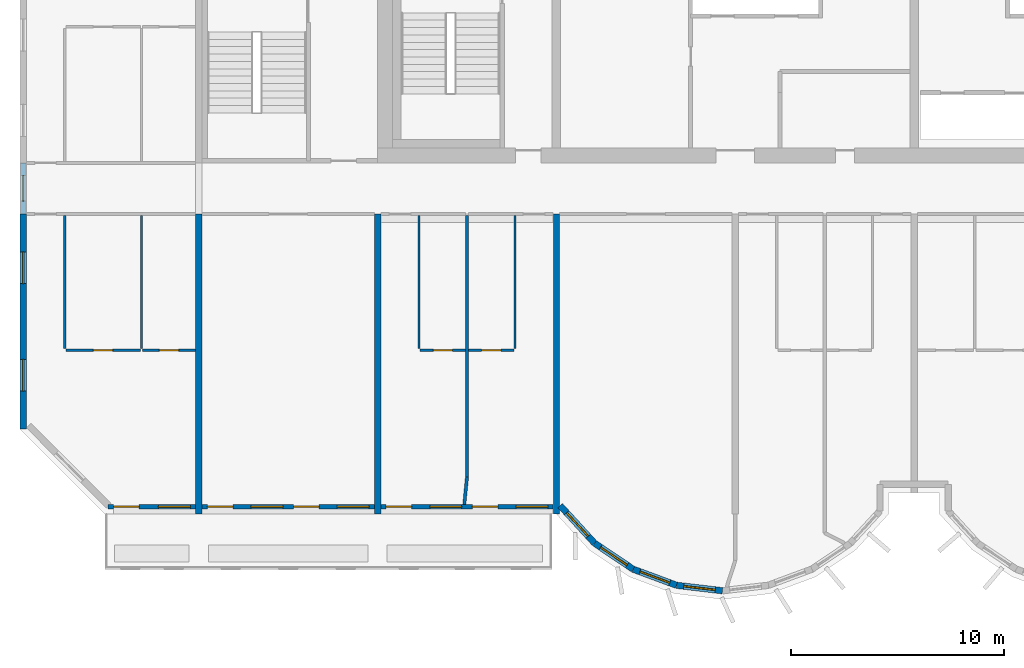
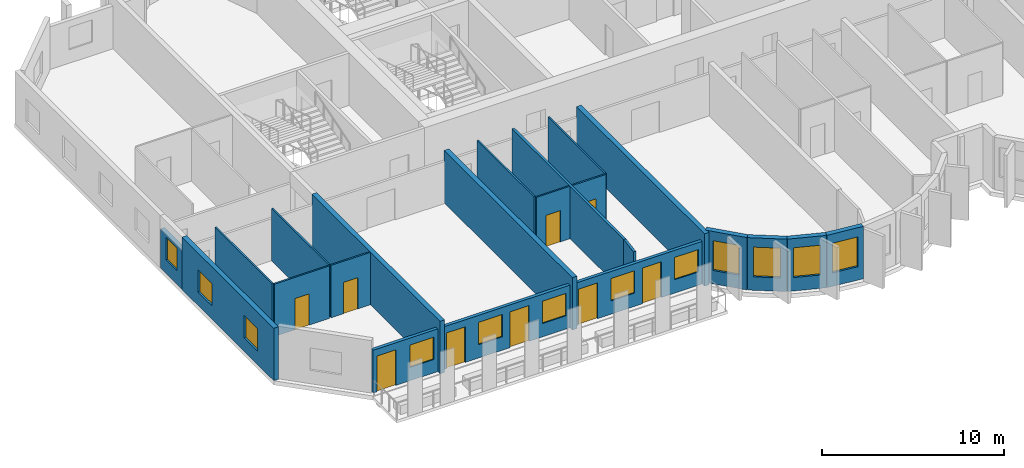
# One storey, part 2 of 13: 22 walls, 12 windows, 9 doors, 21 openings.
"""IFC4 building model written with IfcOpenShell, lengths in metres."""

from ifc_helpers import new_model, si_unit, direction, frame, frame_2d, origin, place, context, subcontext, project, spatial, rectangle, extrude, source, transform, mapped, material, layer, layer_set, type_object, element, fill, save


model = new_model("IFC4")

# Units and contexts
model_context = context("Model", 3, precision=1e-05, world=origin(), true_north=direction((0.0, 1.0)))
body_context = subcontext(model_context, "Body", "Model", "MODEL_VIEW")
ifc_project = project(units=[si_unit("LENGTHUNIT", "METRE"), si_unit("AREAUNIT", "SQUARE_METRE"), si_unit("VOLUMEUNIT", "CUBIC_METRE"), si_unit("PLANEANGLEUNIT", "RADIAN"), si_unit("MASSUNIT", "GRAM", prefix="KILO")], contexts=[model_context])

# Site, building, storey
site_placement = place(None, origin())
site = spatial("IfcSite", under=ifc_project, at=site_placement, CompositionType="ELEMENT")
building_placement = place(site_placement, origin())
building = spatial("IfcBuilding", under=site, at=building_placement, Name="Vanashikhar Sky Hotel", CompositionType="ELEMENT")
storey_placement = place(building_placement, frame((0.0, 0.0, 159.199951171875)))
storey = spatial("IfcBuildingStorey", under=building, at=storey_placement, Name="L38", CompositionType="ELEMENT", Elevation=159.199951171875)

# Wall, openings, windows
ifc_material_1 = material(Name="Concrete M60", Category="concrete")
ifc_layer_1 = layer(ifc_material_1, 0.300048828125)
ifc_layer_set_1 = layer_set([ifc_layer_1], Name="RC shear wall 300 Concrete M60")
wall_type_1 = type_object("IfcWallType", Name="RC shear wall 300 Concrete M60", PredefinedType="SHEAR", material=ifc_layer_set_1)
shared_shape_1 = source(origin(), body_context, "Body", "SweptSolid", [
    extrude(rectangle(XDim=10.10009765625, YDim=0.300048828125, at=frame_2d((5.050048828125, 0.0))), origin(), (0.0, 0.0, 1.0), 3.52001953125),
])
wall_1_placement = place(storey_placement, frame((8.550048828125, 9.5, 0.0), z_axis=(0.0, 0.0, 1.0), x_axis=(0.0, 1.0, 0.0)))
wall_1 = element("IfcWall", 1, at=wall_1_placement, inside=storey, type_object=wall_type_1, Name="CW-L38-XW02-1", PredefinedType="SHEAR", context=body_context, shape_type="MappedRepresentation", body=[
    mapped(shared_shape_1, transform((0.0, 0.0, 0.0), scale=1.0)),
])
shared_shape_2 = source(origin(), body_context, "Body", "SweptSolid", [
    extrude(rectangle(XDim=1.5, YDim=1.5, at=frame_2d((0.75, 0.75))), frame((0.0, 0.16015625, 0.0), z_axis=(0.0, -1.0, 0.0), x_axis=(1.0, 0.0, 0.0)), (0.0, 0.0, 1.0), 0.320068359375),
])
opening_1_placement = place(wall_1_placement, frame((1.77490234375, 0.0, 0.89990234375)))
opening_1 = element("IfcOpeningElement", 2, at=opening_1_placement, cuts=wall_1, Name="Opening WN-1", PredefinedType="OPENING", context=body_context, shape_type="MappedRepresentation", body=[
    mapped(shared_shape_2, transform((0.0, 0.0, 0.0), scale=1.0)),
])
opening_2_placement = place(wall_1_placement, frame((6.824951171875, 0.0, 0.89990234375)))
opening_2 = element("IfcOpeningElement", 3, at=opening_2_placement, cuts=wall_1, Name="Opening WN-1", PredefinedType="OPENING", context=body_context, shape_type="MappedRepresentation", body=[
    mapped(shared_shape_2, transform((0.0, 0.0, 0.0), scale=1.0)),
])
ifc_material_2 = material(Name="Glass", Category="glass")
window_type_1 = type_object("IfcWindowType", Name="Window 1500 x 1500", PartitioningType="SINGLE_PANEL", PredefinedType="WINDOW", material=ifc_material_2)
shared_shape_3 = source(origin(), body_context, "Body", "SweptSolid", [
    extrude(rectangle(XDim=1.5, YDim=1.5, at=frame_2d((0.75, 0.75))), frame((0.0, 0.030029296875, 0.0), z_axis=(0.0, -1.0, 0.0), x_axis=(1.0, 0.0, 0.0)), (0.0, 0.0, 1.0), 0.06005859375),
])
window_1_placement = place(opening_1_placement, origin())
window_1 = element("IfcWindow", 4, at=window_1_placement, inside=storey, type_object=window_type_1, Name="Window WN-1", OverallHeight=1.5, OverallWidth=1.5, PartitioningType="SINGLE_PANEL", PredefinedType="WINDOW", context=body_context, shape_type="MappedRepresentation", body=[
    mapped(shared_shape_3, transform((0.0, 0.0, 0.0), scale=1.0)),
])
fill(opening_1, window_1)
window_2_placement = place(opening_2_placement, origin())
window_2 = element("IfcWindow", 5, at=window_2_placement, inside=storey, type_object=window_type_1, Name="Window WN-1", OverallHeight=1.5, OverallWidth=1.5, PartitioningType="SINGLE_PANEL", PredefinedType="WINDOW", context=body_context, shape_type="MappedRepresentation", body=[
    mapped(shared_shape_3, transform((0.0, 0.0, 0.0), scale=1.0)),
])
fill(opening_2, window_2)

# Walls
shared_shape_4 = source(origin(), body_context, "Body", "SweptSolid", [
    extrude(rectangle(XDim=14.10009765625, YDim=0.300048828125, at=frame_2d((7.050048828125, 0.0))), origin(), (0.0, 0.0, 1.0), 3.52001953125),
])
for number, where, z_axis, x_axis, name in (
    (6, (16.800048828125, 5.5, 0.0), (0.0, 0.0, 1.0), (0.0, 1.0, 0.0), "CW-L38-XW03-1"),
    (7, (25.199951171875, 5.5, 0.0), (0.0, 0.0, 1.0), (0.0, 1.0, 0.0), "CW-L38-XW04-1"),
    (8, (33.60009765625, 5.5, 0.0), (0.0, 0.0, 1.0), (0.0, 1.0, 0.0), "CW-L38-XW05-1"),
):
    element("IfcWall", number, at=place(storey_placement, frame(where, z_axis=z_axis, x_axis=x_axis)), inside=storey, type_object=wall_type_1, Name=name, PredefinedType="SHEAR", context=body_context, shape_type="MappedRepresentation", body=[
        mapped(shared_shape_4, transform((0.0, 0.0, 0.0), scale=1.0)),
    ])

# Wall, opening, window
ifc_material_3 = material(Name="Concrete M50", Category="concrete")
ifc_layer_2 = layer(ifc_material_3, 0.300048828125)
ifc_layer_set_2 = layer_set([ifc_layer_2], Name="Lobe wall 300")
wall_type_2 = type_object("IfcWallType", Name="Lobe wall 300", PredefinedType="SOLIDWALL", material=ifc_layer_set_2)
shared_shape_5 = source(origin(), body_context, "Body", "SweptSolid", [
    extrude(rectangle(XDim=2.398193359375, YDim=0.300048828125, at=frame_2d((1.19921875, 0.0))), origin(), (0.0, 0.0, 1.0), 3.52001953125),
])
wall_2_placement = place(storey_placement, frame((33.776123046875, 5.89990234375, 0.0), z_axis=(0.0, 0.0, 1.0), x_axis=(0.675374189419, -0.737475222815, 0.0)))
wall_2 = element("IfcWall", 9, at=wall_2_placement, inside=storey, type_object=wall_type_2, Name="Lobe wall", PredefinedType="SOLIDWALL", context=body_context, shape_type="MappedRepresentation", body=[
    mapped(shared_shape_5, transform((0.0, 0.0, 0.0), scale=1.0)),
])
shared_shape_6 = source(origin(), body_context, "Body", "SweptSolid", [
    extrude(rectangle(XDim=1.5, YDim=2.0, at=frame_2d((0.75, 1.0))), frame((0.0, 0.16015625, 0.0), z_axis=(0.0, -1.0, 0.0), x_axis=(1.0, 0.0, 0.0)), (0.0, 0.0, 1.0), 0.320068359375),
])
opening_3_placement = place(wall_2_placement, frame((0.44921875, 0.0, 0.89990234375)))
opening_3 = element("IfcOpeningElement", 10, at=opening_3_placement, cuts=wall_2, Name="Opening WN-2", PredefinedType="OPENING", context=body_context, shape_type="MappedRepresentation", body=[
    mapped(shared_shape_6, transform((0.0, 0.0, 0.0), scale=1.0)),
])
window_type_2 = type_object("IfcWindowType", Name="Lobe window 1500 x 2000", PartitioningType="SINGLE_PANEL", PredefinedType="WINDOW", material=ifc_material_2)
shared_shape_7 = source(origin(), body_context, "Body", "SweptSolid", [
    extrude(rectangle(XDim=1.5, YDim=2.0, at=frame_2d((0.75, 1.0))), frame((0.0, 0.030029296875, 0.0), z_axis=(0.0, -1.0, 0.0), x_axis=(1.0, 0.0, 0.0)), (0.0, 0.0, 1.0), 0.06005859375),
])
window_3_placement = place(opening_3_placement, origin())
window_3 = element("IfcWindow", 11, at=window_3_placement, inside=storey, type_object=window_type_2, Name="Window WN-2", OverallHeight=2.0, OverallWidth=1.5, PartitioningType="SINGLE_PANEL", PredefinedType="WINDOW", context=body_context, shape_type="MappedRepresentation", body=[
    mapped(shared_shape_7, transform((0.0, 0.0, 0.0), scale=1.0)),
])
fill(opening_3, window_3)

shared_shape_8 = source(origin(), body_context, "Body", "SweptSolid", [
    extrude(rectangle(XDim=2.17578125, YDim=0.300048828125, at=frame_2d((1.087890625, 0.0))), origin(), (0.0, 0.0, 1.0), 3.52001953125),
])
wall_3_placement = place(storey_placement, frame((35.395751953125, 4.13134765625, 0.0), z_axis=(0.0, 0.0, 1.0), x_axis=(0.829590746428, -0.558371913192, 0.0)))
wall_3 = element("IfcWall", 12, at=wall_3_placement, inside=storey, type_object=wall_type_2, Name="Lobe wall", PredefinedType="SOLIDWALL", context=body_context, shape_type="MappedRepresentation", body=[
    mapped(shared_shape_8, transform((0.0, 0.0, 0.0), scale=1.0)),
])
opening_4_placement = place(wall_3_placement, frame((0.337890625, 0.0, 0.89990234375)))
opening_4 = element("IfcOpeningElement", 13, at=opening_4_placement, cuts=wall_3, Name="Opening WN-2", PredefinedType="OPENING", context=body_context, shape_type="MappedRepresentation", body=[
    mapped(shared_shape_6, transform((0.0, 0.0, 0.0), scale=1.0)),
])
window_4_placement = place(opening_4_placement, origin())
window_4 = element("IfcWindow", 14, at=window_4_placement, inside=storey, type_object=window_type_2, Name="Window WN-2", OverallHeight=2.0, OverallWidth=1.5, PartitioningType="SINGLE_PANEL", PredefinedType="WINDOW", context=body_context, shape_type="MappedRepresentation", body=[
    mapped(shared_shape_7, transform((0.0, 0.0, 0.0), scale=1.0)),
])
fill(opening_4, window_4)

wall_4_placement = place(storey_placement, frame((37.20068359375, 2.91650390625, 0.0), z_axis=(0.0, 0.0, 1.0), x_axis=(0.93754555999, -0.347862505801, 0.0)))
wall_4 = element("IfcWall", 15, at=wall_4_placement, inside=storey, type_object=wall_type_2, Name="Lobe wall", PredefinedType="SOLIDWALL", context=body_context, shape_type="MappedRepresentation", body=[
    mapped(shared_shape_8, transform((0.0, 0.0, 0.0), scale=1.0)),
])
opening_5_placement = place(wall_4_placement, frame((0.337890625, 0.0, 0.89990234375)))
opening_5 = element("IfcOpeningElement", 16, at=opening_5_placement, cuts=wall_4, Name="Opening WN-2", PredefinedType="OPENING", context=body_context, shape_type="MappedRepresentation", body=[
    mapped(shared_shape_6, transform((0.0, 0.0, 0.0), scale=1.0)),
])
window_5_placement = place(opening_5_placement, origin())
window_5 = element("IfcWindow", 17, at=window_5_placement, inside=storey, type_object=window_type_2, Name="Window WN-2", OverallHeight=2.0, OverallWidth=1.5, PartitioningType="SINGLE_PANEL", PredefinedType="WINDOW", context=body_context, shape_type="MappedRepresentation", body=[
    mapped(shared_shape_7, transform((0.0, 0.0, 0.0), scale=1.0)),
])
fill(opening_5, window_5)

shared_shape_9 = source(origin(), body_context, "Body", "SweptSolid", [
    extrude(rectangle(XDim=2.174560546875, YDim=0.300048828125, at=frame_2d((1.08740234375, 0.0))), origin(), (0.0, 0.0, 1.0), 3.52001953125),
])
wall_5_placement = place(storey_placement, frame((39.240478515625, 2.15966796875, 0.0), z_axis=(0.0, 0.0, 1.0), x_axis=(0.993001132889, -0.118104826659, 0.0)))
wall_5 = element("IfcWall", 18, at=wall_5_placement, inside=storey, type_object=wall_type_2, Name="Lobe wall", PredefinedType="SOLIDWALL", context=body_context, shape_type="MappedRepresentation", body=[
    mapped(shared_shape_9, transform((0.0, 0.0, 0.0), scale=1.0)),
])
opening_6_placement = place(wall_5_placement, frame((0.33740234375, 0.0, 0.89990234375)))
opening_6 = element("IfcOpeningElement", 19, at=opening_6_placement, cuts=wall_5, Name="Opening WN-2", PredefinedType="OPENING", context=body_context, shape_type="MappedRepresentation", body=[
    mapped(shared_shape_6, transform((0.0, 0.0, 0.0), scale=1.0)),
])
window_6_placement = place(opening_6_placement, origin())
window_6 = element("IfcWindow", 20, at=window_6_placement, inside=storey, type_object=window_type_2, Name="Window WN-2", OverallHeight=2.0, OverallWidth=1.5, PartitioningType="SINGLE_PANEL", PredefinedType="WINDOW", context=body_context, shape_type="MappedRepresentation", body=[
    mapped(shared_shape_7, transform((0.0, 0.0, 0.0), scale=1.0)),
])
fill(opening_6, window_6)

ifc_layer_3 = layer(ifc_material_3, 0.25)
ifc_layer_set_3 = layer_set([ifc_layer_3], Name="Rear and end board-marked wall 250")
wall_type_3 = type_object("IfcWallType", Name="Rear and end board-marked wall 250", PredefinedType="SOLIDWALL", material=ifc_layer_set_3)
shared_shape_10 = source(origin(), body_context, "Body", "SweptSolid", [
    extrude(rectangle(XDim=2.39990234375, YDim=0.25, at=frame_2d((1.199951171875, 0.0))), origin(), (0.0, 0.0, 1.0), 2.6201171875),
])
wall_6_placement = place(storey_placement, frame((8.550048828125, 19.60009765625, 0.0), z_axis=(0.0, 0.0, 1.0), x_axis=(0.0, 1.0, 0.0)))
wall_6 = element("IfcWall", 21, at=wall_6_placement, inside=storey, type_object=wall_type_3, Name="End corridor infill wall", PredefinedType="SOLIDWALL", context=body_context, shape_type="MappedRepresentation", body=[
    mapped(shared_shape_10, transform((0.0, 0.0, 0.0), scale=1.0)),
])
shared_shape_11 = source(origin(), body_context, "Body", "SweptSolid", [
    extrude(rectangle(XDim=1.199951171875, YDim=1.5, at=frame_2d((0.60009765625, 0.75))), frame((0.0, 0.135009765625, 0.0), z_axis=(0.0, -1.0, 0.0), x_axis=(1.0, 0.0, 0.0)), (0.0, 0.0, 1.0), 0.27001953125),
])
opening_7_placement = place(wall_6_placement, frame((0.60009765625, 0.0, 0.89990234375)))
opening_7 = element("IfcOpeningElement", 22, at=opening_7_placement, cuts=wall_6, Name="Opening WN-3", PredefinedType="OPENING", context=body_context, shape_type="MappedRepresentation", body=[
    mapped(shared_shape_11, transform((0.0, 0.0, 0.0), scale=1.0)),
])
window_type_3 = type_object("IfcWindowType", Name="Corridor end window 1200 x 1500", PartitioningType="SINGLE_PANEL", PredefinedType="WINDOW", material=ifc_material_2)
shared_shape_12 = source(origin(), body_context, "Body", "SweptSolid", [
    extrude(rectangle(XDim=1.199951171875, YDim=1.5, at=frame_2d((0.60009765625, 0.75))), frame((0.0, 0.030029296875, 0.0), z_axis=(0.0, -1.0, 0.0), x_axis=(1.0, 0.0, 0.0)), (0.0, 0.0, 1.0), 0.06005859375),
])
window_7_placement = place(opening_7_placement, origin())
window_7 = element("IfcWindow", 23, at=window_7_placement, inside=storey, type_object=window_type_3, Name="Window WN-3", OverallHeight=1.5, OverallWidth=1.199951171875, PartitioningType="SINGLE_PANEL", PredefinedType="WINDOW", context=body_context, shape_type="MappedRepresentation", body=[
    mapped(shared_shape_12, transform((0.0, 0.0, 0.0), scale=1.0)),
])
fill(opening_7, window_7)

# Wall, openings, window, door
ifc_layer_4 = layer(ifc_material_3, 0.199951171875)
ifc_layer_set_4 = layer_set([ifc_layer_4], Name="Front window wall 200")
wall_type_4 = type_object("IfcWallType", Name="Front window wall 200", PredefinedType="SOLIDWALL", material=ifc_layer_set_4)
shared_shape_13 = source(origin(), body_context, "Body", "SweptSolid", [
    extrude(rectangle(XDim=4.10498046875, YDim=0.199951171875, at=frame_2d((2.052490234375, 0.0))), origin(), (0.0, 0.0, 1.0), 2.8701171875),
])
wall_7_placement = place(storey_placement, frame((12.544921875, 5.85009765625, 0.0), z_axis=(0.0, 0.0, 1.0), x_axis=(1.0, 0.0, 0.0)))
wall_7 = element("IfcWall", 24, at=wall_7_placement, inside=storey, type_object=wall_type_4, Name="Front window wall", PredefinedType="SOLIDWALL", context=body_context, shape_type="MappedRepresentation", body=[
    mapped(shared_shape_13, transform((0.0, 0.0, 0.0), scale=1.0)),
])
shared_shape_14 = source(origin(), body_context, "Body", "SweptSolid", [
    extrude(rectangle(XDim=1.199951171875, YDim=2.39990234375, at=frame_2d((0.60009765625, 1.199951171875))), frame((0.0, 0.10986328125, 0.0), z_axis=(0.0, -1.0, 0.0), x_axis=(1.0, 0.0, 0.0)), (0.0, 0.0, 1.0), 0.219970703125),
])
opening_8_placement = place(wall_7_placement, frame((0.25, 0.0, 0.0)))
opening_8 = element("IfcOpeningElement", 25, at=opening_8_placement, cuts=wall_7, Name="Opening BD-01", PredefinedType="OPENING", context=body_context, shape_type="MappedRepresentation", body=[
    mapped(shared_shape_14, transform((0.0, 0.0, 0.0), scale=1.0)),
])
shared_shape_15 = source(origin(), body_context, "Body", "SweptSolid", [
    extrude(rectangle(XDim=1.5, YDim=1.5, at=frame_2d((0.75, 0.75))), frame((0.0, 0.10986328125, 0.0), z_axis=(0.0, -1.0, 0.0), x_axis=(1.0, 0.0, 0.0)), (0.0, 0.0, 1.0), 0.219970703125),
])
opening_9_placement = place(wall_7_placement, frame((2.35498046875, 0.0, 0.89990234375)))
opening_9 = element("IfcOpeningElement", 26, at=opening_9_placement, cuts=wall_7, Name="Opening WN-1", PredefinedType="OPENING", context=body_context, shape_type="MappedRepresentation", body=[
    mapped(shared_shape_15, transform((0.0, 0.0, 0.0), scale=1.0)),
])
window_8_placement = place(opening_9_placement, origin())
window_8 = element("IfcWindow", 27, at=window_8_placement, inside=storey, type_object=window_type_1, Name="Window WN-1", OverallHeight=1.5, OverallWidth=1.5, PartitioningType="SINGLE_PANEL", PredefinedType="WINDOW", context=body_context, shape_type="MappedRepresentation", body=[
    mapped(shared_shape_3, transform((0.0, 0.0, 0.0), scale=1.0)),
])
fill(opening_9, window_8)
ifc_material_4 = material(Name="Aluminium", Category="aluminium")
door_type_1 = type_object("IfcDoorType", Name="Balcony sliding door 1200 x 2400", OperationType="NOTDEFINED", PredefinedType="DOOR", material=ifc_material_4)
shared_shape_16 = source(origin(), body_context, "Body", "SweptSolid", [
    extrude(rectangle(XDim=1.199951171875, YDim=2.39990234375, at=frame_2d((0.60009765625, 1.199951171875))), frame((0.0, 0.02490234375, 0.0), z_axis=(0.0, -1.0, 0.0), x_axis=(1.0, 0.0, 0.0)), (0.0, 0.0, 1.0), 0.050048828125),
])
door_1_placement = place(opening_8_placement, origin())
door_1 = element("IfcDoor", 28, at=door_1_placement, inside=storey, type_object=door_type_1, Name="Balcony sliding door", OperationType="SLIDING_TO_LEFT", OverallHeight=2.39990234375, OverallWidth=1.199951171875, PredefinedType="DOOR", context=body_context, shape_type="MappedRepresentation", body=[
    mapped(shared_shape_16, transform((0.0, 0.0, 0.0), scale=1.0)),
])
fill(opening_8, door_1)

# Wall, openings, windows, doors
shared_shape_17 = source(origin(), body_context, "Body", "SweptSolid", [
    extrude(rectangle(XDim=8.10009765625, YDim=0.199951171875, at=frame_2d((4.050048828125, 0.0))), origin(), (0.0, 0.0, 1.0), 2.8701171875),
])
wall_8_placement = place(storey_placement, frame((16.949951171875, 5.85009765625, 0.0), z_axis=(0.0, 0.0, 1.0), x_axis=(1.0, 0.0, 0.0)))
wall_8 = element("IfcWall", 29, at=wall_8_placement, inside=storey, type_object=wall_type_4, Name="Front window wall", PredefinedType="SOLIDWALL", context=body_context, shape_type="MappedRepresentation", body=[
    mapped(shared_shape_17, transform((0.0, 0.0, 0.0), scale=1.0)),
])
opening_10_placement = place(wall_8_placement, frame((0.25, 0.0, 0.0)))
opening_10 = element("IfcOpeningElement", 30, at=opening_10_placement, cuts=wall_8, Name="Opening BD-02", PredefinedType="OPENING", context=body_context, shape_type="MappedRepresentation", body=[
    mapped(shared_shape_14, transform((0.0, 0.0, 0.0), scale=1.0)),
])
opening_11_placement = place(wall_8_placement, frame((2.300048828125, 0.0, 0.89990234375)))
opening_11 = element("IfcOpeningElement", 31, at=opening_11_placement, cuts=wall_8, Name="Opening WN-1", PredefinedType="OPENING", context=body_context, shape_type="MappedRepresentation", body=[
    mapped(shared_shape_15, transform((0.0, 0.0, 0.0), scale=1.0)),
])
opening_12_placement = place(wall_8_placement, frame((4.300048828125, 0.0, 0.0)))
opening_12 = element("IfcOpeningElement", 32, at=opening_12_placement, cuts=wall_8, Name="Opening BD-03", PredefinedType="OPENING", context=body_context, shape_type="MappedRepresentation", body=[
    mapped(shared_shape_14, transform((0.0, 0.0, 0.0), scale=1.0)),
])
opening_13_placement = place(wall_8_placement, frame((6.35009765625, 0.0, 0.89990234375)))
opening_13 = element("IfcOpeningElement", 33, at=opening_13_placement, cuts=wall_8, Name="Opening WN-1", PredefinedType="OPENING", context=body_context, shape_type="MappedRepresentation", body=[
    mapped(shared_shape_15, transform((0.0, 0.0, 0.0), scale=1.0)),
])
window_9_placement = place(opening_11_placement, origin())
window_9 = element("IfcWindow", 34, at=window_9_placement, inside=storey, type_object=window_type_1, Name="Window WN-1", OverallHeight=1.5, OverallWidth=1.5, PartitioningType="SINGLE_PANEL", PredefinedType="WINDOW", context=body_context, shape_type="MappedRepresentation", body=[
    mapped(shared_shape_3, transform((0.0, 0.0, 0.0), scale=1.0)),
])
fill(opening_11, window_9)
window_10_placement = place(opening_13_placement, origin())
window_10 = element("IfcWindow", 35, at=window_10_placement, inside=storey, type_object=window_type_1, Name="Window WN-1", OverallHeight=1.5, OverallWidth=1.5, PartitioningType="SINGLE_PANEL", PredefinedType="WINDOW", context=body_context, shape_type="MappedRepresentation", body=[
    mapped(shared_shape_3, transform((0.0, 0.0, 0.0), scale=1.0)),
])
fill(opening_13, window_10)
door_2_placement = place(opening_10_placement, origin())
door_2 = element("IfcDoor", 36, at=door_2_placement, inside=storey, type_object=door_type_1, Name="Balcony sliding door", OperationType="SLIDING_TO_RIGHT", OverallHeight=2.39990234375, OverallWidth=1.199951171875, PredefinedType="DOOR", context=body_context, shape_type="MappedRepresentation", body=[
    mapped(shared_shape_16, transform((0.0, 0.0, 0.0), scale=1.0)),
])
fill(opening_10, door_2)
door_3_placement = place(opening_12_placement, origin())
door_3 = element("IfcDoor", 37, at=door_3_placement, inside=storey, type_object=door_type_1, Name="Balcony sliding door", OperationType="SLIDING_TO_LEFT", OverallHeight=2.39990234375, OverallWidth=1.199951171875, PredefinedType="DOOR", context=body_context, shape_type="MappedRepresentation", body=[
    mapped(shared_shape_16, transform((0.0, 0.0, 0.0), scale=1.0)),
])
fill(opening_12, door_3)

shared_shape_18 = source(origin(), body_context, "Body", "SweptSolid", [
    extrude(rectangle(XDim=8.099853515625, YDim=0.199951171875, at=frame_2d((4.0498046875, 0.0))), origin(), (0.0, 0.0, 1.0), 2.8701171875),
])
wall_9_placement = place(storey_placement, frame((25.35009765625, 5.85009765625, 0.0), z_axis=(0.0, 0.0, 1.0), x_axis=(1.0, 0.0, 0.0)))
wall_9 = element("IfcWall", 38, at=wall_9_placement, inside=storey, type_object=wall_type_4, Name="Front window wall", PredefinedType="SOLIDWALL", context=body_context, shape_type="MappedRepresentation", body=[
    mapped(shared_shape_18, transform((0.0, 0.0, 0.0), scale=1.0)),
])
opening_14_placement = place(wall_9_placement, frame((0.25, 0.0, 0.0)))
opening_14 = element("IfcOpeningElement", 39, at=opening_14_placement, cuts=wall_9, Name="Opening BD-04", PredefinedType="OPENING", context=body_context, shape_type="MappedRepresentation", body=[
    mapped(shared_shape_14, transform((0.0, 0.0, 0.0), scale=1.0)),
])
opening_15_placement = place(wall_9_placement, frame((2.300048828125, 0.0, 0.89990234375)))
opening_15 = element("IfcOpeningElement", 40, at=opening_15_placement, cuts=wall_9, Name="Opening WN-1", PredefinedType="OPENING", context=body_context, shape_type="MappedRepresentation", body=[
    mapped(shared_shape_15, transform((0.0, 0.0, 0.0), scale=1.0)),
])
opening_16_placement = place(wall_9_placement, frame((4.300048828125, 0.0, 0.0)))
opening_16 = element("IfcOpeningElement", 41, at=opening_16_placement, cuts=wall_9, Name="Opening BD-05", PredefinedType="OPENING", context=body_context, shape_type="MappedRepresentation", body=[
    mapped(shared_shape_14, transform((0.0, 0.0, 0.0), scale=1.0)),
])
opening_17_placement = place(wall_9_placement, frame((6.35009765625, 0.0, 0.89990234375)))
opening_17 = element("IfcOpeningElement", 42, at=opening_17_placement, cuts=wall_9, Name="Opening WN-1", PredefinedType="OPENING", context=body_context, shape_type="MappedRepresentation", body=[
    mapped(shared_shape_15, transform((0.0, 0.0, 0.0), scale=1.0)),
])
window_11_placement = place(opening_15_placement, origin())
window_11 = element("IfcWindow", 43, at=window_11_placement, inside=storey, type_object=window_type_1, Name="Window WN-1", OverallHeight=1.5, OverallWidth=1.5, PartitioningType="SINGLE_PANEL", PredefinedType="WINDOW", context=body_context, shape_type="MappedRepresentation", body=[
    mapped(shared_shape_3, transform((0.0, 0.0, 0.0), scale=1.0)),
])
fill(opening_15, window_11)
window_12_placement = place(opening_17_placement, origin())
window_12 = element("IfcWindow", 44, at=window_12_placement, inside=storey, type_object=window_type_1, Name="Window WN-1", OverallHeight=1.5, OverallWidth=1.5, PartitioningType="SINGLE_PANEL", PredefinedType="WINDOW", context=body_context, shape_type="MappedRepresentation", body=[
    mapped(shared_shape_3, transform((0.0, 0.0, 0.0), scale=1.0)),
])
fill(opening_17, window_12)
door_4_placement = place(opening_14_placement, origin())
door_4 = element("IfcDoor", 45, at=door_4_placement, inside=storey, type_object=door_type_1, Name="Balcony sliding door", OperationType="SLIDING_TO_RIGHT", OverallHeight=2.39990234375, OverallWidth=1.199951171875, PredefinedType="DOOR", context=body_context, shape_type="MappedRepresentation", body=[
    mapped(shared_shape_16, transform((0.0, 0.0, 0.0), scale=1.0)),
])
fill(opening_14, door_4)
door_5_placement = place(opening_16_placement, origin())
door_5 = element("IfcDoor", 46, at=door_5_placement, inside=storey, type_object=door_type_1, Name="Balcony sliding door", OperationType="SLIDING_TO_LEFT", OverallHeight=2.39990234375, OverallWidth=1.199951171875, PredefinedType="DOOR", context=body_context, shape_type="MappedRepresentation", body=[
    mapped(shared_shape_16, transform((0.0, 0.0, 0.0), scale=1.0)),
])
fill(opening_16, door_5)

# Wall, opening, door
ifc_material_5 = material(Name="Gypsum plasterboard partition")
ifc_layer_5 = layer(ifc_material_5, 0.10009765625)
ifc_layer_set_5 = layer_set([ifc_layer_5], Name="Wet room partition 100")
wall_type_5 = type_object("IfcWallType", Name="Wet room partition 100", PredefinedType="PARTITIONING", material=ifc_layer_set_5)
shared_shape_19 = source(origin(), body_context, "Body", "SweptSolid", [
    extrude(rectangle(XDim=3.5, YDim=0.10009765625, at=frame_2d((1.75, 0.0))), origin(), (0.0, 0.0, 1.0), 3.52001953125),
])
wall_10_placement = place(storey_placement, frame((10.550048828125, 13.199951171875, 0.0), z_axis=(0.0, 0.0, 1.0), x_axis=(1.0, 0.0, 0.0)))
wall_10 = element("IfcWall", 47, at=wall_10_placement, inside=storey, type_object=wall_type_5, Name="W-L38-PW003", PredefinedType="PARTITIONING", context=body_context, shape_type="MappedRepresentation", body=[
    mapped(shared_shape_19, transform((0.0, 0.0, 0.0), scale=1.0)),
])
shared_shape_20 = source(origin(), body_context, "Body", "SweptSolid", [
    extrude(rectangle(XDim=0.89990234375, YDim=2.10009765625, at=frame_2d((0.449951171875, 1.050048828125))), frame((0.0, 0.06005859375, 0.0), z_axis=(0.0, -1.0, 0.0), x_axis=(1.0, 0.0, 0.0)), (0.0, 0.0, 1.0), 0.1201171875),
])
opening_18_placement = place(wall_10_placement, frame((1.300048828125, 0.0, 0.0)))
opening_18 = element("IfcOpeningElement", 48, at=opening_18_placement, cuts=wall_10, Name="Opening D-02", PredefinedType="OPENING", context=body_context, shape_type="MappedRepresentation", body=[
    mapped(shared_shape_20, transform((0.0, 0.0, 0.0), scale=1.0)),
])
ifc_material_6 = material(Name="Timber door", Category="wood")
door_type_2 = type_object("IfcDoorType", Name="Internal door 900", OperationType="NOTDEFINED", PredefinedType="DOOR", material=ifc_material_6)
shared_shape_21 = source(origin(), body_context, "Body", "SweptSolid", [
    extrude(rectangle(XDim=0.89990234375, YDim=2.10009765625, at=frame_2d((0.449951171875, 1.050048828125))), frame((0.0, 0.02490234375, 0.0), z_axis=(0.0, -1.0, 0.0), x_axis=(1.0, 0.0, 0.0)), (0.0, 0.0, 1.0), 0.050048828125),
])
door_6_placement = place(opening_18_placement, origin())
door_6 = element("IfcDoor", 49, at=door_6_placement, inside=storey, type_object=door_type_2, Name="D-L38-001", OperationType="SINGLE_SWING_LEFT", OverallHeight=2.10009765625, OverallWidth=0.89990234375, PredefinedType="DOOR", context=body_context, shape_type="MappedRepresentation", body=[
    mapped(shared_shape_21, transform((0.0, 0.0, 0.0), scale=1.0)),
])
fill(opening_18, door_6)

# Walls
shared_shape_22 = source(origin(), body_context, "Body", "SweptSolid", [
    extrude(rectangle(XDim=6.25, YDim=0.10009765625, at=frame_2d((3.125, 0.0))), origin(), (0.0, 0.0, 1.0), 3.52001953125),
])
for number, where, z_axis, x_axis, name in (
    (50, (10.5, 13.27490234375, 0.0), (0.0, 0.0, 1.0), (0.0, 1.0, 0.0), "W-L38-PW001"),
    (51, (14.10009765625, 13.27490234375, 0.0), (0.0, 0.0, 1.0), (0.0, 1.0, 0.0), "W-L38-PW002"),
    (52, (27.14990234375, 13.27490234375, 0.0), (0.0, 0.0, 1.0), (0.0, 1.0, 0.0), "W-L38-PW007"),
    (53, (31.64990234375, 13.27490234375, 0.0), (0.0, 0.0, 1.0), (0.0, 1.0, 0.0), "W-L38-PW010"),
):
    element("IfcWall", number, at=place(storey_placement, frame(where, z_axis=z_axis, x_axis=x_axis)), inside=storey, type_object=wall_type_5, Name=name, PredefinedType="PARTITIONING", context=body_context, shape_type="MappedRepresentation", body=[
        mapped(shared_shape_22, transform((0.0, 0.0, 0.0), scale=1.0)),
    ])

# Wall, opening, door
shared_shape_23 = source(origin(), body_context, "Body", "SweptSolid", [
    extrude(rectangle(XDim=2.5, YDim=0.10009765625, at=frame_2d((1.25, 0.0))), origin(), (0.0, 0.0, 1.0), 3.52001953125),
])
wall_11_placement = place(storey_placement, frame((14.14990234375, 13.199951171875, 0.0), z_axis=(0.0, 0.0, 1.0), x_axis=(1.0, 0.0, 0.0)))
wall_11 = element("IfcWall", 54, at=wall_11_placement, inside=storey, type_object=wall_type_5, Name="W-L38-PW004", PredefinedType="PARTITIONING", context=body_context, shape_type="MappedRepresentation", body=[
    mapped(shared_shape_23, transform((0.0, 0.0, 0.0), scale=1.0)),
])
opening_19_placement = place(wall_11_placement, frame((0.800048828125, 0.0, 0.0)))
opening_19 = element("IfcOpeningElement", 55, at=opening_19_placement, cuts=wall_11, Name="Opening D-02", PredefinedType="OPENING", context=body_context, shape_type="MappedRepresentation", body=[
    mapped(shared_shape_20, transform((0.0, 0.0, 0.0), scale=1.0)),
])
door_7_placement = place(opening_19_placement, origin())
door_7 = element("IfcDoor", 56, at=door_7_placement, inside=storey, type_object=door_type_2, Name="D-L38-002", OperationType="SINGLE_SWING_LEFT", OverallHeight=2.10009765625, OverallWidth=0.89990234375, PredefinedType="DOOR", context=body_context, shape_type="MappedRepresentation", body=[
    mapped(shared_shape_21, transform((0.0, 0.0, 0.0), scale=1.0)),
])
fill(opening_19, door_7)

# Walls
ifc_layer_6 = layer(ifc_material_5, 0.14990234375)
ifc_layer_set_6 = layer_set([ifc_layer_6], Name="Corridor and demising partition 150")
wall_type_6 = type_object("IfcWallType", Name="Corridor and demising partition 150", PredefinedType="PARTITIONING", material=ifc_layer_set_6)
shared_shape_24 = source(origin(), body_context, "Body", "SweptSolid", [
    extrude(rectangle(XDim=12.27490234375, YDim=0.14990234375, at=frame_2d((6.137451171875, 0.0))), origin(), (0.0, 0.0, 1.0), 3.52001953125),
])
wall_12_placement = place(storey_placement, frame((29.39990234375, 7.25, 0.0), z_axis=(0.0, 0.0, 1.0), x_axis=(0.0, 1.0, 0.0)))
element("IfcWall", 57, at=wall_12_placement, inside=storey, type_object=wall_type_6, Name="W-L38-PW013", PredefinedType="PARTITIONING", context=body_context, shape_type="MappedRepresentation", body=[
    mapped(shared_shape_24, transform((0.0, 0.0, 0.0), scale=1.0)),
])
shared_shape_25 = source(origin(), body_context, "Body", "SweptSolid", [
    extrude(rectangle(XDim=1.306640625, YDim=0.14990234375, at=frame_2d((0.6533203125, 0.0))), origin(), (0.0, 0.0, 1.0), 3.52001953125),
])
wall_13_placement = place(storey_placement, frame((29.27001953125, 5.949951171875, 0.0), z_axis=(0.0, 0.0, 1.0), x_axis=(0.099411212066, 0.995046436562, 0.0)))
element("IfcWall", 58, at=wall_13_placement, inside=storey, type_object=wall_type_6, Name="W-L38-PW013B0", PredefinedType="PARTITIONING", context=body_context, shape_type="MappedRepresentation", body=[
    mapped(shared_shape_25, transform((0.0, 0.0, 0.0), scale=1.0)),
])

# Wall, opening, door
shared_shape_26 = source(origin(), body_context, "Body", "SweptSolid", [
    extrude(rectangle(XDim=2.125, YDim=0.10009765625, at=frame_2d((1.0625, 0.0))), origin(), (0.0, 0.0, 1.0), 3.52001953125),
])
wall_14_placement = place(storey_placement, frame((27.199951171875, 13.199951171875, 0.0), z_axis=(0.0, 0.0, 1.0), x_axis=(1.0, 0.0, 0.0)))
wall_14 = element("IfcWall", 59, at=wall_14_placement, inside=storey, type_object=wall_type_5, Name="W-L38-PW008", PredefinedType="PARTITIONING", context=body_context, shape_type="MappedRepresentation", body=[
    mapped(shared_shape_26, transform((0.0, 0.0, 0.0), scale=1.0)),
])
opening_20_placement = place(wall_14_placement, frame((0.613037109375, 0.0, 0.0)))
opening_20 = element("IfcOpeningElement", 60, at=opening_20_placement, cuts=wall_14, Name="Opening D-02", PredefinedType="OPENING", context=body_context, shape_type="MappedRepresentation", body=[
    mapped(shared_shape_20, transform((0.0, 0.0, 0.0), scale=1.0)),
])
door_8_placement = place(opening_20_placement, origin())
door_8 = element("IfcDoor", 61, at=door_8_placement, inside=storey, type_object=door_type_2, Name="D-L38-005", OperationType="SINGLE_SWING_LEFT", OverallHeight=2.10009765625, OverallWidth=0.89990234375, PredefinedType="DOOR", context=body_context, shape_type="MappedRepresentation", body=[
    mapped(shared_shape_21, transform((0.0, 0.0, 0.0), scale=1.0)),
])
fill(opening_20, door_8)

wall_15_placement = place(storey_placement, frame((29.47509765625, 13.199951171875, 0.0), z_axis=(0.0, 0.0, 1.0), x_axis=(1.0, 0.0, 0.0)))
wall_15 = element("IfcWall", 62, at=wall_15_placement, inside=storey, type_object=wall_type_5, Name="W-L38-PW011", PredefinedType="PARTITIONING", context=body_context, shape_type="MappedRepresentation", body=[
    mapped(shared_shape_26, transform((0.0, 0.0, 0.0), scale=1.0)),
])
opening_21_placement = place(wall_15_placement, frame((0.613037109375, 0.0, 0.0)))
opening_21 = element("IfcOpeningElement", 63, at=opening_21_placement, cuts=wall_15, Name="Opening D-02", PredefinedType="OPENING", context=body_context, shape_type="MappedRepresentation", body=[
    mapped(shared_shape_20, transform((0.0, 0.0, 0.0), scale=1.0)),
])
door_9_placement = place(opening_21_placement, origin())
door_9 = element("IfcDoor", 64, at=door_9_placement, inside=storey, type_object=door_type_2, Name="D-L38-007", OperationType="SINGLE_SWING_RIGHT", OverallHeight=2.10009765625, OverallWidth=0.89990234375, PredefinedType="DOOR", context=body_context, shape_type="MappedRepresentation", body=[
    mapped(shared_shape_21, transform((0.0, 0.0, 0.0), scale=1.0)),
])
fill(opening_21, door_9)

save(model, "model.ifc")
